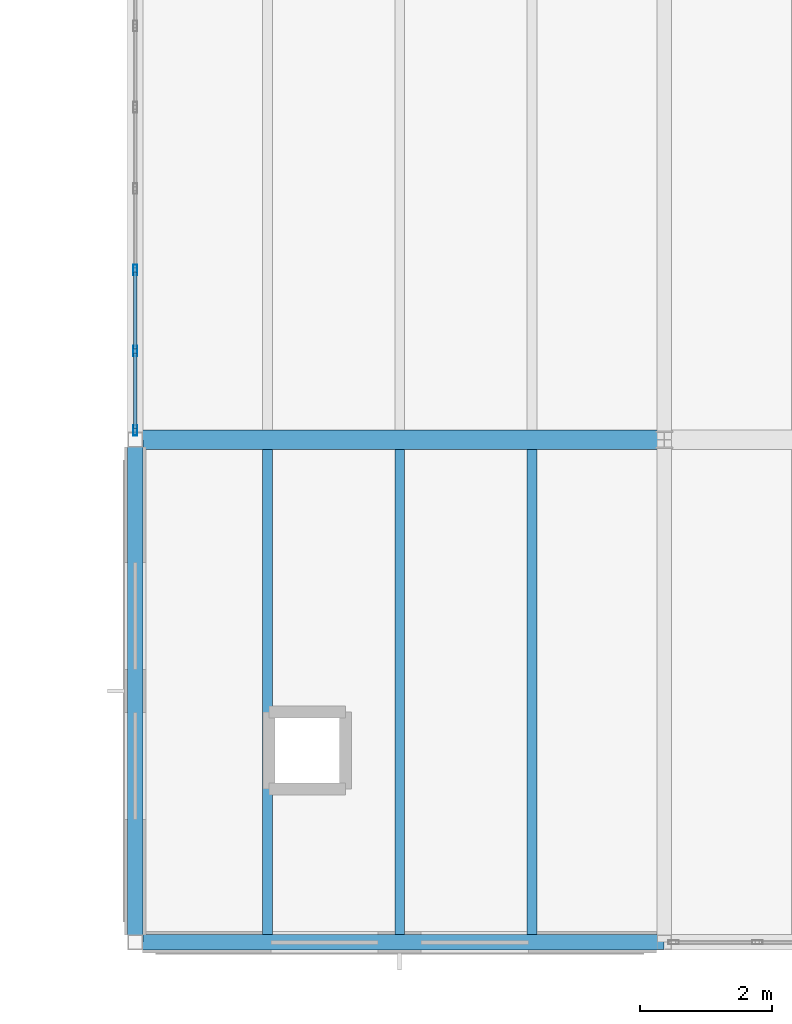
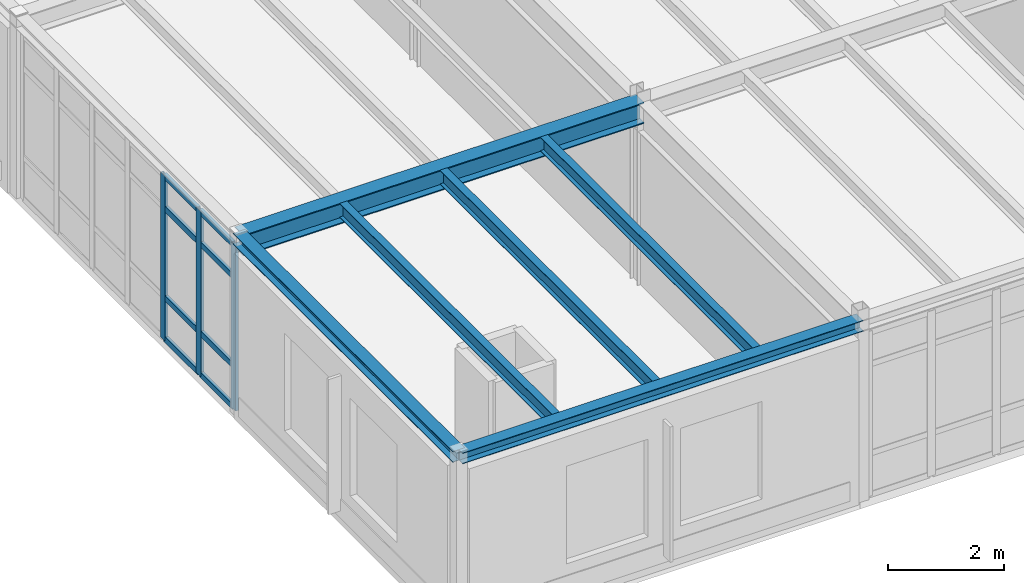
# One storey, part 54 of 114: 11 members, 6 beams, 1 element without a shape of its own.
"""IFC4 building model written with IfcOpenShell, lengths in metres."""

from ifc_helpers import new_model, si_unit, direction, frame, origin, origin_2d, place, context, subcontext, project, spatial, hollow_rectangle, i_section, extrude, material, layer, layer_set, material_profile, profile_set, type_object, element, aggregate, save


model = new_model("IFC4")

# Units and contexts
model_context = context("Model", 3, precision=1e-05, world=origin(), true_north=direction((0.0, 1.0)))
body_context = subcontext(model_context, "Body", "Model", "MODEL_VIEW")
ifc_project = project(units=[si_unit("LENGTHUNIT", "METRE"), si_unit("AREAUNIT", "SQUARE_METRE"), si_unit("VOLUMEUNIT", "CUBIC_METRE"), si_unit("PLANEANGLEUNIT", "RADIAN"), si_unit("MASSUNIT", "GRAM", prefix="KILO")], contexts=[model_context])

# Site, building, storey
site_placement = place(None, origin())
site = spatial("IfcSite", under=ifc_project, at=site_placement, CompositionType="ELEMENT")
building_placement = place(site_placement, origin())
building = spatial("IfcBuilding", under=site, at=building_placement, Name="Montecoro Central Library", CompositionType="ELEMENT")
storey_placement = place(building_placement, frame((0.0, 0.0, 13.260009765625)))
storey = spatial("IfcBuildingStorey", under=building, at=storey_placement, Name="L03", CompositionType="ELEMENT", Elevation=13.260009765625)

# Beams
ifc_material_1 = material(Name="Steel S355J2", Category="steel")
ifc_material_profile_1 = material_profile(ifc_material_1, i_section(OverallWidth=0.300048828125, OverallDepth=0.43994140625, WebThickness=0.011474609375, FlangeThickness=0.02099609375, at=origin_2d()), Name="HEA 450")
ifc_profile_set_1 = profile_set([ifc_material_profile_1], Name="Steel S355J2")
beam_type_1 = type_object("IfcBeamType", Name="BM-G-HEA450", PredefinedType="USERDEFINED", material=ifc_profile_set_1)
beam_1_placement = place(storey_placement, frame((141.0048828125, 12.60009765625, 3.60498046875), z_axis=(1.0, 0.0, 0.0), x_axis=(0.0, 1.0, 0.0)))
element("IfcBeam", 1, at=beam_1_placement, inside=storey, type_object=beam_type_1, Name="V6-L03-BX-1819-B", ObjectType="GIRDER", PredefinedType="USERDEFINED", context=body_context, shape_type="SweptSolid", body=[
    extrude(i_section(OverallWidth=0.300048828125, OverallDepth=0.43994140625, WebThickness=0.011474609375, FlangeThickness=0.02099609375, at=origin_2d()), origin(), (0.0, 0.0, 1.0), 7.990234375),
])
ifc_material_2 = material(Name="Steel S355", Category="steel")
ifc_material_profile_2 = material_profile(ifc_material_2, i_section(OverallWidth=0.14990234375, OverallDepth=0.300048828125, WebThickness=0.007080078125, FlangeThickness=0.0107421875, at=origin_2d()), Name="IPE 300")
ifc_profile_set_2 = profile_set([ifc_material_profile_2], Name="Steel S355")
beam_type_2 = type_object("IfcBeamType", Name="BM-J-IPE300", PredefinedType="JOIST", material=ifc_profile_set_2)
for number, where, z_axis, x_axis, name in (
    (2, (143.0, 5.116943359375, 3.675048828125), (0.0, 1.0, 0.0), (-1.0, 0.0, 0.0), "V6-L03-JS-1819-AB-1"),
    (3, (145.0, 5.116943359375, 3.675048828125), (0.0, 1.0, 0.0), (-1.0, 0.0, 0.0), "V6-L03-JS-1819-AB-2"),
    (4, (147.0, 5.116943359375, 3.675048828125), (0.0, 1.0, 0.0), (-1.0, 0.0, 0.0), "V6-L03-JS-1819-AB-3"),
):
    element("IfcBeam", number, at=place(storey_placement, frame(where, z_axis=z_axis, x_axis=x_axis)), inside=storey, type_object=beam_type_2, Name=name, PredefinedType="JOIST", context=body_context, shape_type="SweptSolid", body=[
        extrude(i_section(OverallWidth=0.14990234375, OverallDepth=0.300048828125, WebThickness=0.007080078125, FlangeThickness=0.0107421875, at=origin_2d()), origin(), (0.0, 0.0, 1.0), 7.3359375),
    ])
ifc_material_profile_3 = material_profile(ifc_material_2, i_section(OverallWidth=0.239990234375, OverallDepth=0.22998046875, WebThickness=0.007568359375, FlangeThickness=0.011962890625, at=origin_2d()), Name="HEA 240")
ifc_profile_set_3 = profile_set([ifc_material_profile_3], Name="Steel S355")
beam_type_3 = type_object("IfcBeamType", Name="BM-SP-HEA240", PredefinedType="SPANDREL", material=ifc_profile_set_3)
beam_2_placement = place(storey_placement, frame((141.0048828125, 5.0, 3.7099609375), z_axis=(1.0, 0.0, 0.0), x_axis=(0.0, 1.0, 0.0)))
element("IfcBeam", 5, at=beam_2_placement, inside=storey, type_object=beam_type_3, Name="V6-L03-BX-1819-A", PredefinedType="SPANDREL", context=body_context, shape_type="SweptSolid", body=[
    extrude(i_section(OverallWidth=0.239990234375, OverallDepth=0.22998046875, WebThickness=0.007568359375, FlangeThickness=0.011962890625, at=origin_2d()), origin(), (0.0, 0.0, 1.0), 7.990234375),
])
beam_3_placement = place(storey_placement, frame((141.0, 5.0048828125, 3.7099609375), z_axis=(0.0, 1.0, 0.0), x_axis=(-1.0, 0.0, 0.0)))
element("IfcBeam", 6, at=beam_3_placement, inside=storey, type_object=beam_type_3, Name="V6-L03-BY-18-AB", PredefinedType="SPANDREL", context=body_context, shape_type="SweptSolid", body=[
    extrude(i_section(OverallWidth=0.239990234375, OverallDepth=0.22998046875, WebThickness=0.007568359375, FlangeThickness=0.011962890625, at=origin_2d()), origin(), (0.0, 0.0, 1.0), 7.590087890625),
])

# Curtain wall, members
ifc_material_3 = material(Name="Bronze-anodised aluminium and low-E glazing", Category="aluminium")
ifc_layer = layer(ifc_material_3, 0.159912109375)
ifc_layer_set = layer_set([ifc_layer], Name="Bronze-anodised aluminium and low-E glazing")
curtain_wall_type = type_object("IfcCurtainWallType", Name="CWT-071", PredefinedType="NOTDEFINED", material=ifc_layer_set)
curtain_wall_placement = place(storey_placement, origin())
curtain_wall = element("IfcCurtainWall", 7, at=curtain_wall_placement, inside=storey, type_object=curtain_wall_type, Name="V6-L03-CW-W1", PredefinedType="NOTDEFINED")
ifc_material_4 = material(Name="Bronze-anodised aluminium", Category="aluminium")
ifc_material_profile_4 = material_profile(ifc_material_4, hollow_rectangle(XDim=0.06005859375, YDim=0.159912109375, WallThickness=0.00390625, at=origin_2d()), Name="CWM 160x60x4.0")
ifc_profile_set_4 = profile_set([ifc_material_profile_4], Name="Bronze-anodised aluminium")
member_type_1 = type_object("IfcMemberType", Name="CWM-BRZ-60", PredefinedType="MULLION", material=ifc_profile_set_4)
member_1_placement = place(storey_placement, frame((141.0, 15.1708984375, 0.0), z_axis=(0.0, 0.0, 1.0), x_axis=(1.0, 0.0, 0.0)))
member_1 = element("IfcMember", 8, at=member_1_placement, type_object=member_type_1, Name="CW-071 mullion 5", PredefinedType="MULLION", context=body_context, shape_type="SweptSolid", body=[
    extrude(hollow_rectangle(XDim=0.06005859375, YDim=0.159912109375, WallThickness=0.00390625, at=origin_2d()), origin(), (0.0, 0.0, 1.0), 3.47998046875),
])
member_2_placement = place(storey_placement, frame((141.0, 13.94189453125, 0.0), z_axis=(0.0, 0.0, 1.0), x_axis=(1.0, 0.0, 0.0)))
member_2 = element("IfcMember", 9, at=member_2_placement, type_object=member_type_1, Name="CW-071 mullion 6", PredefinedType="MULLION", context=body_context, shape_type="SweptSolid", body=[
    extrude(hollow_rectangle(XDim=0.06005859375, YDim=0.159912109375, WallThickness=0.00390625, at=origin_2d()), origin(), (0.0, 0.0, 1.0), 3.47998046875),
])
member_3_placement = place(storey_placement, frame((141.0, 12.742919921875, 0.0), z_axis=(0.0, 0.0, 1.0), x_axis=(1.0, 0.0, 0.0)))
member_3 = element("IfcMember", 10, at=member_3_placement, type_object=member_type_1, Name="CW-071 mullion 7", PredefinedType="MULLION", context=body_context, shape_type="SweptSolid", body=[
    extrude(hollow_rectangle(XDim=0.06005859375, YDim=0.159912109375, WallThickness=0.00390625, at=origin_2d()), origin(), (0.0, 0.0, 1.0), 3.47998046875),
])
ifc_material_profile_5 = material_profile(ifc_material_4, hollow_rectangle(XDim=0.06005859375, YDim=0.1201171875, WallThickness=0.00390625, at=origin_2d()), Name="CWT 120x60x4.0")
ifc_profile_set_5 = profile_set([ifc_material_profile_5], Name="Bronze-anodised aluminium")
member_type_2 = type_object("IfcMemberType", Name="CWT-BRZ-60", PredefinedType="USERDEFINED", material=ifc_profile_set_5)
member_4_placement = place(storey_placement, frame((141.0, 15.14111328125, 0.030029296875), z_axis=(0.0, -1.0, 0.0), x_axis=(1.0, 0.0, 0.0)))
member_4 = element("IfcMember", 11, at=member_4_placement, type_object=member_type_2, Name="CW-071 transom 5.1", ObjectType="TRANSOM", PredefinedType="USERDEFINED", context=body_context, shape_type="SweptSolid", body=[
    extrude(hollow_rectangle(XDim=0.06005859375, YDim=0.1201171875, WallThickness=0.00390625, at=origin_2d()), origin(), (0.0, 0.0, 1.0), 1.169189453125),
])
member_5_placement = place(storey_placement, frame((141.0, 15.14111328125, 0.89990234375), z_axis=(0.0, -1.0, 0.0), x_axis=(1.0, 0.0, 0.0)))
member_5 = element("IfcMember", 12, at=member_5_placement, type_object=member_type_2, Name="CW-071 transom 5.2", ObjectType="TRANSOM", PredefinedType="USERDEFINED", context=body_context, shape_type="SweptSolid", body=[
    extrude(hollow_rectangle(XDim=0.06005859375, YDim=0.1201171875, WallThickness=0.00390625, at=origin_2d()), origin(), (0.0, 0.0, 1.0), 1.169189453125),
])
member_6_placement = place(storey_placement, frame((141.0, 15.14111328125, 2.780029296875), z_axis=(0.0, -1.0, 0.0), x_axis=(1.0, 0.0, 0.0)))
member_6 = element("IfcMember", 13, at=member_6_placement, type_object=member_type_2, Name="CW-071 transom 5.3", ObjectType="TRANSOM", PredefinedType="USERDEFINED", context=body_context, shape_type="SweptSolid", body=[
    extrude(hollow_rectangle(XDim=0.06005859375, YDim=0.1201171875, WallThickness=0.00390625, at=origin_2d()), origin(), (0.0, 0.0, 1.0), 1.169189453125),
])
member_7_placement = place(storey_placement, frame((141.0, 15.14111328125, 3.449951171875), z_axis=(0.0, -1.0, 0.0), x_axis=(1.0, 0.0, 0.0)))
member_7 = element("IfcMember", 14, at=member_7_placement, type_object=member_type_2, Name="CW-071 transom 5.4", ObjectType="TRANSOM", PredefinedType="USERDEFINED", context=body_context, shape_type="SweptSolid", body=[
    extrude(hollow_rectangle(XDim=0.06005859375, YDim=0.1201171875, WallThickness=0.00390625, at=origin_2d()), origin(), (0.0, 0.0, 1.0), 1.169189453125),
])
member_8_placement = place(storey_placement, frame((141.0, 13.912109375, 0.030029296875), z_axis=(0.0, -1.0, 0.0), x_axis=(1.0, 0.0, 0.0)))
member_8 = element("IfcMember", 15, at=member_8_placement, type_object=member_type_2, Name="CW-071 transom 6.1", ObjectType="TRANSOM", PredefinedType="USERDEFINED", context=body_context, shape_type="SweptSolid", body=[
    extrude(hollow_rectangle(XDim=0.06005859375, YDim=0.1201171875, WallThickness=0.00390625, at=origin_2d()), origin(), (0.0, 0.0, 1.0), 1.13916015625),
])
member_9_placement = place(storey_placement, frame((141.0, 13.912109375, 0.89990234375), z_axis=(0.0, -1.0, 0.0), x_axis=(1.0, 0.0, 0.0)))
member_9 = element("IfcMember", 16, at=member_9_placement, type_object=member_type_2, Name="CW-071 transom 6.2", ObjectType="TRANSOM", PredefinedType="USERDEFINED", context=body_context, shape_type="SweptSolid", body=[
    extrude(hollow_rectangle(XDim=0.06005859375, YDim=0.1201171875, WallThickness=0.00390625, at=origin_2d()), origin(), (0.0, 0.0, 1.0), 1.13916015625),
])
member_10_placement = place(storey_placement, frame((141.0, 13.912109375, 2.780029296875), z_axis=(0.0, -1.0, 0.0), x_axis=(1.0, 0.0, 0.0)))
member_10 = element("IfcMember", 17, at=member_10_placement, type_object=member_type_2, Name="CW-071 transom 6.3", ObjectType="TRANSOM", PredefinedType="USERDEFINED", context=body_context, shape_type="SweptSolid", body=[
    extrude(hollow_rectangle(XDim=0.06005859375, YDim=0.1201171875, WallThickness=0.00390625, at=origin_2d()), origin(), (0.0, 0.0, 1.0), 1.13916015625),
])
member_11_placement = place(storey_placement, frame((141.0, 13.912109375, 3.449951171875), z_axis=(0.0, -1.0, 0.0), x_axis=(1.0, 0.0, 0.0)))
member_11 = element("IfcMember", 18, at=member_11_placement, type_object=member_type_2, Name="CW-071 transom 6.4", ObjectType="TRANSOM", PredefinedType="USERDEFINED", context=body_context, shape_type="SweptSolid", body=[
    extrude(hollow_rectangle(XDim=0.06005859375, YDim=0.1201171875, WallThickness=0.00390625, at=origin_2d()), origin(), (0.0, 0.0, 1.0), 1.13916015625),
])
aggregate(curtain_wall, [member_1, member_2, member_3, member_4, member_5, member_6, member_7, member_8, member_9, member_10, member_11])

save(model, "model.ifc")
